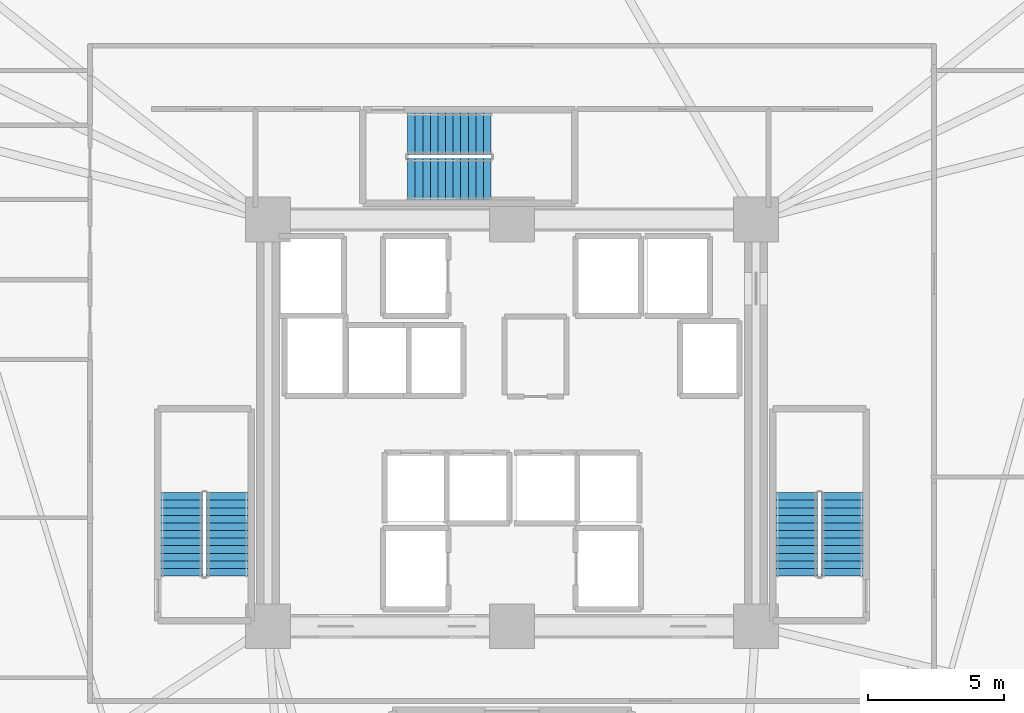
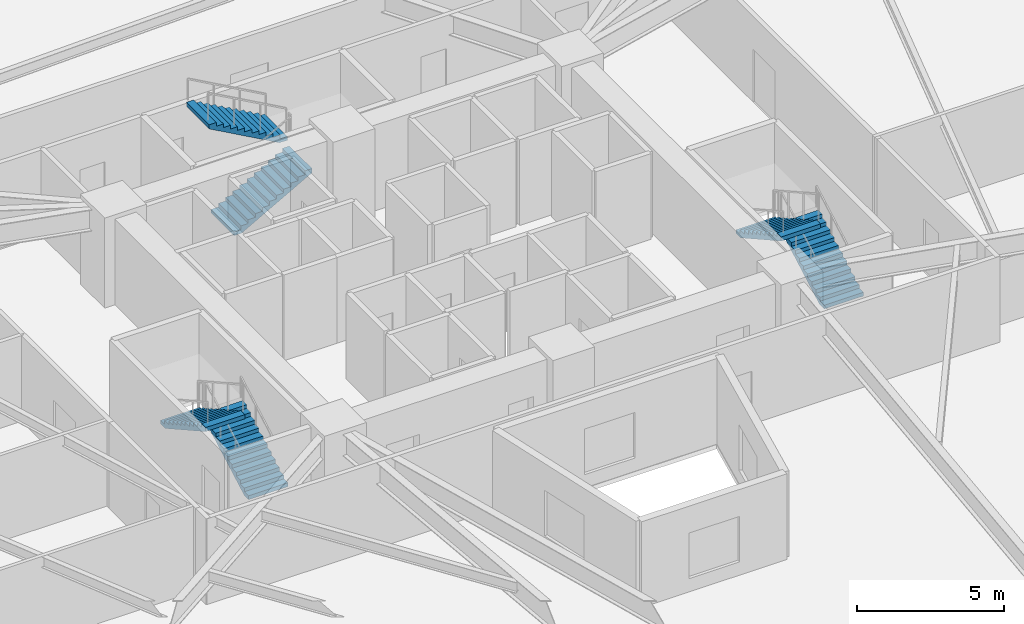
# One storey, part 7 of 8: 6 stair flights, 3 elements without a shape of their own.
"""IFC4 building model written with IfcOpenShell, lengths in metres."""

from ifc_helpers import new_model, si_unit, direction, frame, origin, place, context, subcontext, project, spatial, polyline, outline, extrude, material, type_object, element, aggregate, save


model = new_model("IFC4")

# Units and contexts
model_context = context("Model", 3, precision=1e-05, world=origin(), true_north=direction((0.0, 1.0)))
body_context = subcontext(model_context, "Body", "Model", "MODEL_VIEW")
ifc_project = project(units=[si_unit("LENGTHUNIT", "METRE"), si_unit("AREAUNIT", "SQUARE_METRE"), si_unit("VOLUMEUNIT", "CUBIC_METRE"), si_unit("PLANEANGLEUNIT", "RADIAN"), si_unit("MASSUNIT", "GRAM", prefix="KILO")], contexts=[model_context])

# Site, building, storey
site_placement = place(None, origin())
site = spatial("IfcSite", under=ifc_project, at=site_placement, CompositionType="ELEMENT")
building_placement = place(site_placement, origin())
building = spatial("IfcBuilding", under=site, at=building_placement, Name="Liaohun Quay Tower", CompositionType="ELEMENT")
storey_placement = place(building_placement, frame((0.0, 0.0, 32.25)))
storey = spatial("IfcBuildingStorey", under=building, at=storey_placement, Name="L08", CompositionType="ELEMENT", Elevation=32.25)

# Stair, stair flights
ifc_material = material(Name="Concrete C45", Category="concrete")
stair_type = type_object("IfcStairType", Name="STR-CORE-OFF", PredefinedType="HALF_TURN_STAIR", material=ifc_material)
stair_1_placement = place(storey_placement, origin())
stair_1 = element("IfcStair", 1, at=stair_1_placement, inside=storey, type_object=stair_type, Name="L08 Smokeproof Core Exit Stair ST-1", PredefinedType="HALF_TURN_STAIR")
stair_flight_type = type_object("IfcStairFlightType", Name="FLT-CORE-155", PredefinedType="STRAIGHT", material=ifc_material)
stair_flight_1_placement = place(storey_placement, frame((49.5048828125, 48.35009765625, 0.0), z_axis=(0.0, 0.0, 1.0), x_axis=(0.0, 1.0, 0.0)))
stair_flight_1 = element("IfcStairFlight", 2, at=stair_flight_1_placement, type_object=stair_flight_type, Name="ST-1 flight 1", NumberOfRisers=12, NumberOfTreads=11, PredefinedType="STRAIGHT", RiserHeight=0.15625, TreadLength=0.28, context=body_context, shape_type="SweptSolid", body=[
    extrude(outline(polyline([(0.0, 0.0), (0.0, 0.15625), (0.280029296875, 0.15625), (0.280029296875, 0.3125), (0.56005859375, 0.3125), (0.56005859375, 0.46875), (0.840087890625, 0.46875), (0.840087890625, 0.625), (1.1201171875, 0.625), (1.1201171875, 0.78125), (1.39990234375, 0.78125), (1.39990234375, 0.9375), (1.679931640625, 0.9375), (1.679931640625, 1.09375), (1.9599609375, 1.09375), (1.9599609375, 1.25), (2.239990234375, 1.25), (2.239990234375, 1.40625), (2.52001953125, 1.40625), (2.52001953125, 1.5625), (2.800048828125, 1.5625), (2.800048828125, 1.71875), (3.080078125, 1.71875), (3.080078125, 1.875), (3.080078125, 1.547119140625), (0.3076171875, 0.0), (0.0, 0.0)])), frame((0.0, 0.77490234375, 0.0), z_axis=(0.0, -1.0, 0.0), x_axis=(1.0, 0.0, 0.0)), (0.0, 0.0, 1.0), 1.550048828125),
])
stair_flight_2_placement = place(storey_placement, frame((47.81494140625, 51.429931640625, 1.875), z_axis=(0.0, 0.0, 1.0), x_axis=(0.0, -1.0, 0.0)))
stair_flight_2 = element("IfcStairFlight", 3, at=stair_flight_2_placement, type_object=stair_flight_type, Name="ST-1 flight 2", NumberOfRisers=12, NumberOfTreads=11, PredefinedType="STRAIGHT", RiserHeight=0.15625, TreadLength=0.28, context=body_context, shape_type="SweptSolid", body=[
    extrude(outline(polyline([(0.0, 0.0), (0.0, 0.15625), (0.280029296875, 0.15625), (0.280029296875, 0.3125), (0.56005859375, 0.3125), (0.56005859375, 0.46875), (0.840087890625, 0.46875), (0.840087890625, 0.625), (1.1201171875, 0.625), (1.1201171875, 0.78125), (1.39990234375, 0.78125), (1.39990234375, 0.9375), (1.679931640625, 0.9375), (1.679931640625, 1.09375), (1.9599609375, 1.09375), (1.9599609375, 1.25), (2.239990234375, 1.25), (2.239990234375, 1.40625), (2.52001953125, 1.40625), (2.52001953125, 1.5625), (2.800048828125, 1.5625), (2.800048828125, 1.71875), (3.080078125, 1.71875), (3.080078125, 1.875), (3.080078125, 1.547119140625), (0.3076171875, 0.0), (0.0, 0.0)])), frame((0.0, 0.77490234375, 0.0), z_axis=(0.0, -1.0, 0.0), x_axis=(1.0, 0.0, 0.0)), (0.0, 0.0, 1.0), 1.550048828125),
])
aggregate(stair_1, [stair_flight_1, stair_flight_2])

stair_2_placement = place(storey_placement, origin())
stair_2 = element("IfcStair", 4, at=stair_2_placement, inside=storey, type_object=stair_type, Name="L08 Smokeproof Core Exit Stair ST-2", PredefinedType="HALF_TURN_STAIR")
stair_flight_3_placement = place(storey_placement, frame((72.18505859375, 48.35009765625, 0.0), z_axis=(0.0, 0.0, 1.0), x_axis=(0.0, 1.0, 0.0)))
stair_flight_3 = element("IfcStairFlight", 5, at=stair_flight_3_placement, type_object=stair_flight_type, Name="ST-2 flight 1", NumberOfRisers=12, NumberOfTreads=11, PredefinedType="STRAIGHT", RiserHeight=0.15625, TreadLength=0.28, context=body_context, shape_type="SweptSolid", body=[
    extrude(outline(polyline([(0.0, 0.0), (0.0, 0.15625), (0.280029296875, 0.15625), (0.280029296875, 0.3125), (0.56005859375, 0.3125), (0.56005859375, 0.46875), (0.840087890625, 0.46875), (0.840087890625, 0.625), (1.1201171875, 0.625), (1.1201171875, 0.78125), (1.39990234375, 0.78125), (1.39990234375, 0.9375), (1.679931640625, 0.9375), (1.679931640625, 1.09375), (1.9599609375, 1.09375), (1.9599609375, 1.25), (2.239990234375, 1.25), (2.239990234375, 1.40625), (2.52001953125, 1.40625), (2.52001953125, 1.5625), (2.800048828125, 1.5625), (2.800048828125, 1.71875), (3.080078125, 1.71875), (3.080078125, 1.875), (3.080078125, 1.547119140625), (0.3076171875, 0.0), (0.0, 0.0)])), frame((0.0, 0.77490234375, 0.0), z_axis=(0.0, -1.0, 0.0), x_axis=(1.0, 0.0, 0.0)), (0.0, 0.0, 1.0), 1.550048828125),
])
stair_flight_4_placement = place(storey_placement, frame((70.4951171875, 51.429931640625, 1.875), z_axis=(0.0, 0.0, 1.0), x_axis=(0.0, -1.0, 0.0)))
stair_flight_4 = element("IfcStairFlight", 6, at=stair_flight_4_placement, type_object=stair_flight_type, Name="ST-2 flight 2", NumberOfRisers=12, NumberOfTreads=11, PredefinedType="STRAIGHT", RiserHeight=0.15625, TreadLength=0.28, context=body_context, shape_type="SweptSolid", body=[
    extrude(outline(polyline([(0.0, 0.0), (0.0, 0.15625), (0.280029296875, 0.15625), (0.280029296875, 0.3125), (0.56005859375, 0.3125), (0.56005859375, 0.46875), (0.840087890625, 0.46875), (0.840087890625, 0.625), (1.1201171875, 0.625), (1.1201171875, 0.78125), (1.39990234375, 0.78125), (1.39990234375, 0.9375), (1.679931640625, 0.9375), (1.679931640625, 1.09375), (1.9599609375, 1.09375), (1.9599609375, 1.25), (2.239990234375, 1.25), (2.239990234375, 1.40625), (2.52001953125, 1.40625), (2.52001953125, 1.5625), (2.800048828125, 1.5625), (2.800048828125, 1.71875), (3.080078125, 1.71875), (3.080078125, 1.875), (3.080078125, 1.547119140625), (0.3076171875, 0.0), (0.0, 0.0)])), frame((0.0, 0.77490234375, 0.0), z_axis=(0.0, -1.0, 0.0), x_axis=(1.0, 0.0, 0.0)), (0.0, 0.0, 1.0), 1.550048828125),
])
aggregate(stair_2, [stair_flight_3, stair_flight_4])

stair_3_placement = place(storey_placement, origin())
stair_3 = element("IfcStair", 7, at=stair_3_placement, inside=storey, type_object=stair_type, Name="L08 Smokeproof Core Exit Stair ST-3", PredefinedType="HALF_TURN_STAIR")
stair_flight_5_placement = place(storey_placement, frame((56.14990234375, 62.97509765625, 0.0), z_axis=(0.0, 0.0, 1.0), x_axis=(1.0, 0.0, 0.0)))
stair_flight_5 = element("IfcStairFlight", 8, at=stair_flight_5_placement, type_object=stair_flight_type, Name="ST-3 flight 1", NumberOfRisers=12, NumberOfTreads=11, PredefinedType="STRAIGHT", RiserHeight=0.15625, TreadLength=0.28, context=body_context, shape_type="SweptSolid", body=[
    extrude(outline(polyline([(0.0, 0.0), (0.0, 0.15625), (0.280029296875, 0.15625), (0.280029296875, 0.3125), (0.56005859375, 0.3125), (0.56005859375, 0.46875), (0.840087890625, 0.46875), (0.840087890625, 0.625), (1.1201171875, 0.625), (1.1201171875, 0.78125), (1.39990234375, 0.78125), (1.39990234375, 0.9375), (1.679931640625, 0.9375), (1.679931640625, 1.09375), (1.9599609375, 1.09375), (1.9599609375, 1.25), (2.239990234375, 1.25), (2.239990234375, 1.40625), (2.52001953125, 1.40625), (2.52001953125, 1.5625), (2.800048828125, 1.5625), (2.800048828125, 1.71875), (3.080078125, 1.71875), (3.080078125, 1.875), (3.080078125, 1.547119140625), (0.3076171875, 0.0), (0.0, 0.0)])), frame((0.0, 0.77490234375, 0.0), z_axis=(0.0, -1.0, 0.0), x_axis=(1.0, 0.0, 0.0)), (0.0, 0.0, 1.0), 1.550048828125),
])
stair_flight_6_placement = place(storey_placement, frame((59.22998046875, 64.6650390625, 1.875), z_axis=(0.0, 0.0, 1.0), x_axis=(-1.0, 0.0, 0.0)))
stair_flight_6 = element("IfcStairFlight", 9, at=stair_flight_6_placement, type_object=stair_flight_type, Name="ST-3 flight 2", NumberOfRisers=12, NumberOfTreads=11, PredefinedType="STRAIGHT", RiserHeight=0.15625, TreadLength=0.28, context=body_context, shape_type="SweptSolid", body=[
    extrude(outline(polyline([(0.0, 0.0), (0.0, 0.15625), (0.280029296875, 0.15625), (0.280029296875, 0.3125), (0.56005859375, 0.3125), (0.56005859375, 0.46875), (0.840087890625, 0.46875), (0.840087890625, 0.625), (1.1201171875, 0.625), (1.1201171875, 0.78125), (1.39990234375, 0.78125), (1.39990234375, 0.9375), (1.679931640625, 0.9375), (1.679931640625, 1.09375), (1.9599609375, 1.09375), (1.9599609375, 1.25), (2.239990234375, 1.25), (2.239990234375, 1.40625), (2.52001953125, 1.40625), (2.52001953125, 1.5625), (2.800048828125, 1.5625), (2.800048828125, 1.71875), (3.080078125, 1.71875), (3.080078125, 1.875), (3.080078125, 1.547119140625), (0.3076171875, 0.0), (0.0, 0.0)])), frame((0.0, 0.77490234375, 0.0), z_axis=(0.0, -1.0, 0.0), x_axis=(1.0, 0.0, 0.0)), (0.0, 0.0, 1.0), 1.550048828125),
])
aggregate(stair_3, [stair_flight_5, stair_flight_6])

save(model, "model.ifc")
